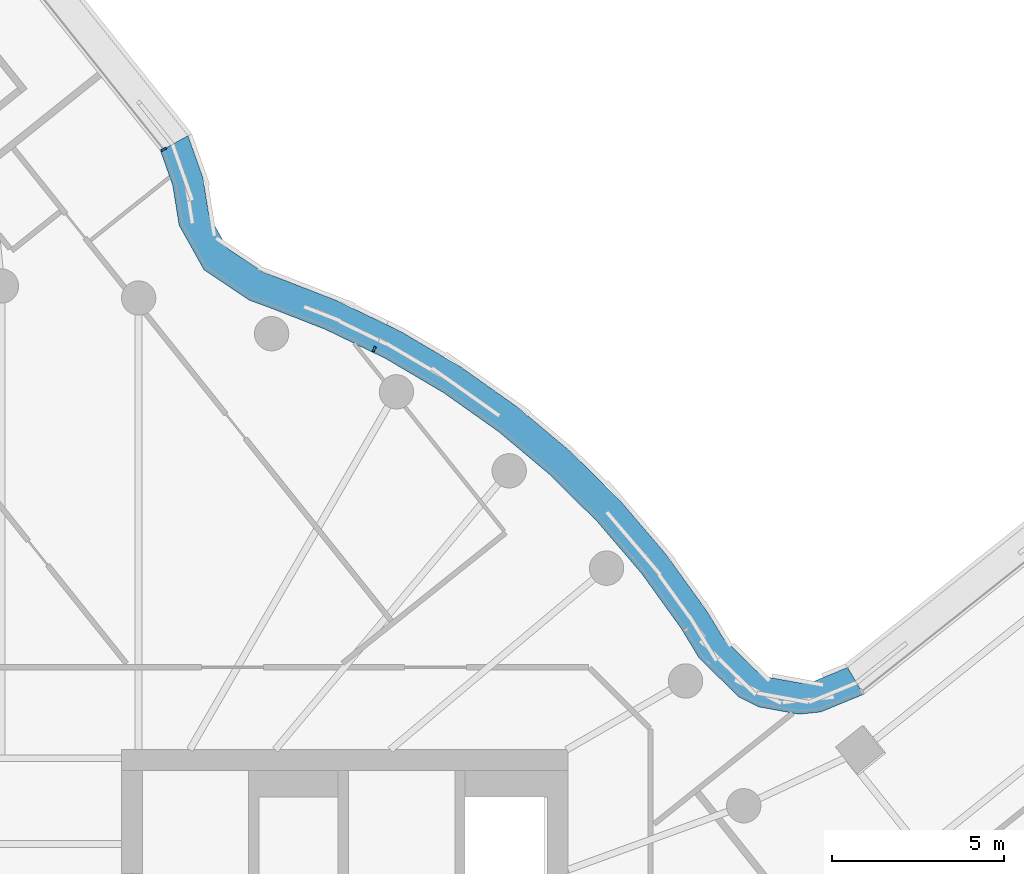
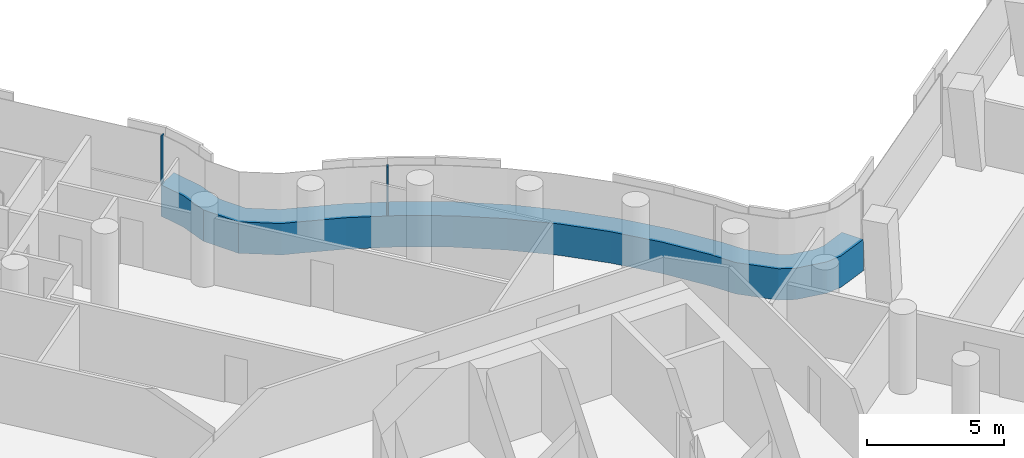
# One storey, part 14 of 31: 3 members, 2 elements without a shape of their own.
"""IFC4 building model written with IfcOpenShell, lengths in metres."""

from ifc_helpers import new_model, si_unit, direction, frame, origin, origin_2d, place, context, subcontext, project, spatial, polyline, rectangle, outline, extrude, material, layer, layer_set, material_profile, profile_set, type_object, element, aggregate, save


model = new_model("IFC4")

# Units and contexts
model_context = context("Model", 3, precision=1e-05, world=origin(), true_north=direction((0.0, 1.0)))
body_context = subcontext(model_context, "Body", "Model", "MODEL_VIEW")
ifc_project = project(units=[si_unit("LENGTHUNIT", "METRE"), si_unit("AREAUNIT", "SQUARE_METRE"), si_unit("VOLUMEUNIT", "CUBIC_METRE"), si_unit("PLANEANGLEUNIT", "RADIAN"), si_unit("MASSUNIT", "GRAM", prefix="KILO")], contexts=[model_context])

# Site, building, storey
site_placement = place(None, origin())
site = spatial("IfcSite", under=ifc_project, at=site_placement, CompositionType="ELEMENT")
building_placement = place(site_placement, origin())
building = spatial("IfcBuilding", under=site, at=building_placement, Name="Tamarind Cross Interchange Tower", CompositionType="ELEMENT")
storey_placement = place(building_placement, frame((0.0, 0.0, 174.25)))
storey = spatial("IfcBuildingStorey", under=building, at=storey_placement, Name="L43", CompositionType="ELEMENT", Elevation=174.25)

# Curtain wall, members
ifc_material_1 = material(Name="Aluminium 6063-T6", Category="aluminium")
ifc_layer = layer(ifc_material_1, 0.159912109375)
ifc_layer_set = layer_set([ifc_layer], Name="Aluminium 6063-T6")
curtain_wall_type = type_object("IfcCurtainWallType", Name="Office curtain wall, 9.0 m bays", PredefinedType="NOTDEFINED", material=ifc_layer_set)
curtain_wall_1_placement = place(storey_placement, origin())
curtain_wall_1 = element("IfcCurtainWall", 1, at=curtain_wall_1_placement, inside=storey, type_object=curtain_wall_type, Name="CWS-L43-10", PredefinedType="NOTDEFINED")
ifc_material_2 = material(Name="Aluminium and insulated spandrel panel", Category="aluminium")
member_type_1 = type_object("IfcMemberType", Name="Floor-edge blade transom", PredefinedType="USERDEFINED", material=ifc_material_2)
member_1_placement = place(storey_placement, origin())
member_1 = element("IfcMember", 2, at=member_1_placement, type_object=member_type_1, Name="CWT-L43-10", ObjectType="TRANSOM", PredefinedType="USERDEFINED", context=body_context, shape_type="SweptSolid", body=[
    extrude(outline(polyline([(25.097900390625, 11.109375), (23.857177734375, 10.599365234375), (23.224365234375, 10.532470703125), (22.0458984375, 10.746337890625), (21.473388671875, 11.03271484375), (20.3154296875, 12.16650390625), (19.78173828125, 13.045166015625), (18.636474609375, 14.634521484375), (17.3642578125, 16.12353515625), (15.973388671875, 17.50244140625), (14.4736328125, 18.76171875), (12.874755859375, 19.892822265625), (11.188232421875, 20.88818359375), (9.42431640625, 21.740966796875), (7.782958984375, 22.38134765625), (7.210693359375, 22.590576171875), (5.896484375, 23.474609375), (5.173828125, 24.770751953125), (4.988525390625, 25.92919921875), (4.633056640625, 26.933837890625), (5.430908203125, 27.377197265625), (5.8642578125, 26.15234375), (6.037353515625, 25.070068359375), (6.57763671875, 24.10107421875), (7.622314453125, 23.3984375), (8.10107421875, 23.223388671875), (9.784423828125, 22.566650390625), (11.613525390625, 21.68212890625), (13.3642578125, 20.64892578125), (15.023681640625, 19.474853515625), (16.580810546875, 18.167724609375), (18.0244140625, 16.736572265625), (19.344970703125, 15.19091796875), (20.532470703125, 13.54248046875), (21.02587890625, 12.73046875), (22.002197265625, 11.7744140625), (22.333251953125, 11.60888671875), (23.258056640625, 11.441162109375), (23.63427734375, 11.48095703125), (24.637451171875, 11.893310546875), (25.097900390625, 11.109375)])), origin(), (0.0, 0.0, 1.0), 1.39990234375),
])
ifc_material_profile = material_profile(ifc_material_1, rectangle(XDim=0.06005859375, YDim=0.159912109375, at=origin_2d()), Name="Mullion CW1")
ifc_profile_set = profile_set([ifc_material_profile], Name="Aluminium 6063-T6")
member_type_2 = type_object("IfcMemberType", Name="Mullion CW1", PredefinedType="MULLION", material=ifc_profile_set)
member_2_placement = place(storey_placement, frame((10.8525390625, 21.161376953125, 1.39990234375), z_axis=(0.0, 0.0, 1.0), x_axis=(-0.900272776334, 0.435326231914, 0.0)))
member_2 = element("IfcMember", 3, at=member_2_placement, type_object=member_type_2, Name="CWM-L43-10-02", PredefinedType="MULLION", context=body_context, shape_type="SweptSolid", body=[
    extrude(rectangle(XDim=0.06005859375, YDim=0.159912109375, at=origin_2d()), origin(), (0.0, 0.0, 1.0), 2.170166015625),
])
aggregate(curtain_wall_1, [member_2, member_1])

# Curtain wall, member
curtain_wall_2_placement = place(storey_placement, origin())
curtain_wall_2 = element("IfcCurtainWall", 4, at=curtain_wall_2_placement, inside=storey, type_object=curtain_wall_type, Name="CWS-L43-11", PredefinedType="NOTDEFINED")
member_3_placement = place(storey_placement, frame((4.721923828125, 26.983154296875, 1.39990234375), z_axis=(0.0, 0.0, 1.0), x_axis=(-0.485867718197, 0.874032356617, 0.0)))
member_3 = element("IfcMember", 5, at=member_3_placement, type_object=member_type_2, Name="CWM-L43-11-00", PredefinedType="MULLION", context=body_context, shape_type="SweptSolid", body=[
    extrude(rectangle(XDim=0.06005859375, YDim=0.159912109375, at=origin_2d()), origin(), (0.0, 0.0, 1.0), 2.170166015625),
])
aggregate(curtain_wall_2, [member_3])

save(model, "model.ifc")
